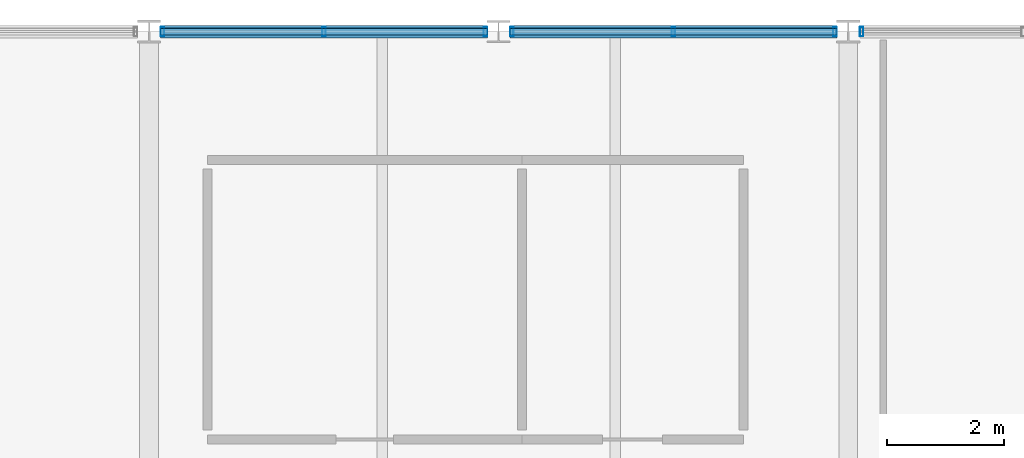
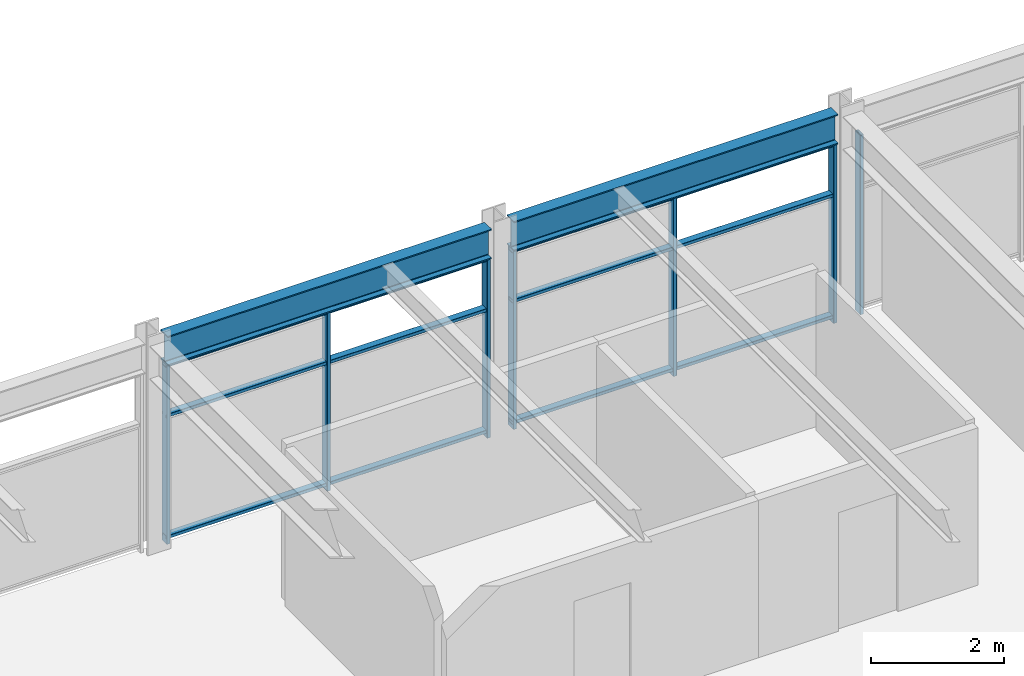
# One storey, part 25 of 51: 13 members, 2 beams, 3 elements without a shape of their own.
"""IFC4 building model written with IfcOpenShell, lengths in metres."""

from ifc_helpers import new_model, si_unit, direction, frame, origin, origin_2d, place, context, subcontext, project, spatial, hollow_rectangle, i_section, extrude, material, material_profile, profile_set, type_object, element, aggregate, save


model = new_model("IFC4")

# Units and contexts
model_context = context("Model", 3, precision=1e-05, world=origin(), true_north=direction((0.0, 1.0)))
body_context = subcontext(model_context, "Body", "Model", "MODEL_VIEW")
ifc_project = project(units=[si_unit("LENGTHUNIT", "METRE"), si_unit("AREAUNIT", "SQUARE_METRE"), si_unit("VOLUMEUNIT", "CUBIC_METRE"), si_unit("PLANEANGLEUNIT", "RADIAN"), si_unit("MASSUNIT", "GRAM", prefix="KILO")], contexts=[model_context])

# Site, building, storey
site_placement = place(None, origin())
site = spatial("IfcSite", under=ifc_project, at=site_placement, CompositionType="ELEMENT")
building_placement = place(site_placement, origin())
building = spatial("IfcBuilding", under=site, at=building_placement, Name="Girod Span Mobility Hub", CompositionType="ELEMENT")
storey_placement = place(building_placement, frame((0.0, 0.0, 41.60009765625)))
storey = spatial("IfcBuildingStorey", under=building, at=storey_placement, Name="L10", CompositionType="ELEMENT", Elevation=41.60009765625)

# Beams
ifc_material_1 = material(Name="Steel A992 Grade 50", Category="steel")
ifc_material_profile_1 = material_profile(ifc_material_1, i_section(OverallWidth=0.2119140625, OverallDepth=0.5439453125, WebThickness=0.01318359375, FlangeThickness=0.021240234375, FilletRadius=0.014892578125, at=origin_2d()), Name="W21X83")
ifc_profile_set_1 = profile_set([ifc_material_profile_1], Name="Steel A992 Grade 50")
beam_type = type_object("IfcBeamType", Name="BM-STL-W21X83", PredefinedType="SPANDREL", material=ifc_profile_set_1)
for number, where, z_axis, x_axis, name in (
    (1, (72.196533203125, 69.0, 3.552978515625), (1.0, 0.0, 0.0), (0.0, 1.0, 0.0), "Spandrel Beam 7-8/F-W L10"),
    (2, (78.194091796875, 69.0, 3.552978515625), (1.0, 0.0, 0.0), (0.0, 1.0, 0.0), "Spandrel Beam 7-8/F-E L10"),
):
    element("IfcBeam", number, at=place(storey_placement, frame(where, z_axis=z_axis, x_axis=x_axis)), inside=storey, type_object=beam_type, Name=name, PredefinedType="SPANDREL", context=body_context, shape_type="SweptSolid", body=[
        extrude(i_section(OverallWidth=0.2119140625, OverallDepth=0.5439453125, WebThickness=0.01318359375, FlangeThickness=0.021240234375, FilletRadius=0.014892578125, at=origin_2d()), origin(), (0.0, 0.0, 1.0), 5.609375),
    ])

# Curtain wall, members
ifc_material_2 = material(Name="Thermally Broken Anodised Aluminium", Category="aluminium")
curtain_wall_type = type_object("IfcCurtainWallType", Name="CW-561X328", PredefinedType="USERDEFINED", material=ifc_material_2)
curtain_wall_1_placement = place(storey_placement, origin())
curtain_wall_1 = element("IfcCurtainWall", 3, at=curtain_wall_1_placement, inside=storey, type_object=curtain_wall_type, Name="Unitised Curtain Wall CW-L10-N07W L10", ObjectType="UNITISED CURTAIN WALL", PredefinedType="USERDEFINED")
ifc_material_3 = material(Name="Thermally Broken Anodised Aluminium", Category="aluminium")
ifc_material_profile_2 = material_profile(ifc_material_3, hollow_rectangle(XDim=0.159912109375, YDim=0.06005859375, WallThickness=0.00341796875, InnerFilletRadius=0.00341796875, OuterFilletRadius=0.007080078125, at=origin_2d()), Name="CW-ML-60X160")
ifc_profile_set_2 = profile_set([ifc_material_profile_2], Name="Thermally Broken Anodised Aluminium")
member_type_1 = type_object("IfcMemberType", Name="CWM-ML-3", PredefinedType="MULLION", material=ifc_profile_set_2)
member_1_placement = place(storey_placement, frame((72.2294921875, 69.0, 0.0), z_axis=(0.0, 0.0, 1.0), x_axis=(0.0, 1.0, 0.0)))
member_1 = element("IfcMember", 4, at=member_1_placement, type_object=member_type_1, Name="Curtain Wall Mullion CW-L10-N07W-M0", PredefinedType="MULLION", context=body_context, shape_type="SweptSolid", body=[
    extrude(hollow_rectangle(XDim=0.159912109375, YDim=0.06005859375, WallThickness=0.00341796875, InnerFilletRadius=0.00341796875, OuterFilletRadius=0.007080078125, at=origin_2d()), origin(), (0.0, 0.0, 1.0), 3.281005859375),
])
member_2_placement = place(storey_placement, frame((75.001220703125, 69.0, 0.0), z_axis=(0.0, 0.0, 1.0), x_axis=(0.0, 1.0, 0.0)))
member_2 = element("IfcMember", 5, at=member_2_placement, type_object=member_type_1, Name="Curtain Wall Mullion CW-L10-N07W-M1", PredefinedType="MULLION", context=body_context, shape_type="SweptSolid", body=[
    extrude(hollow_rectangle(XDim=0.159912109375, YDim=0.06005859375, WallThickness=0.00341796875, InnerFilletRadius=0.00341796875, OuterFilletRadius=0.007080078125, at=origin_2d()), origin(), (0.0, 0.0, 1.0), 3.281005859375),
])
member_3_placement = place(storey_placement, frame((77.77294921875, 69.0, 0.0), z_axis=(0.0, 0.0, 1.0), x_axis=(0.0, 1.0, 0.0)))
member_3 = element("IfcMember", 6, at=member_3_placement, type_object=member_type_1, Name="Curtain Wall Mullion CW-L10-N07W-M2", PredefinedType="MULLION", context=body_context, shape_type="SweptSolid", body=[
    extrude(hollow_rectangle(XDim=0.159912109375, YDim=0.06005859375, WallThickness=0.00341796875, InnerFilletRadius=0.00341796875, OuterFilletRadius=0.007080078125, at=origin_2d()), origin(), (0.0, 0.0, 1.0), 3.281005859375),
])

curtain_wall_2_placement = place(storey_placement, origin())
curtain_wall_2 = element("IfcCurtainWall", 7, at=curtain_wall_2_placement, inside=storey, type_object=curtain_wall_type, Name="Unitised Curtain Wall CW-L10-N07E L10", ObjectType="UNITISED CURTAIN WALL", PredefinedType="USERDEFINED")
member_4_placement = place(storey_placement, frame((78.22705078125, 69.0, 0.0), z_axis=(0.0, 0.0, 1.0), x_axis=(0.0, 1.0, 0.0)))
member_4 = element("IfcMember", 8, at=member_4_placement, type_object=member_type_1, Name="Curtain Wall Mullion CW-L10-N07E-M0", PredefinedType="MULLION", context=body_context, shape_type="SweptSolid", body=[
    extrude(hollow_rectangle(XDim=0.159912109375, YDim=0.06005859375, WallThickness=0.00341796875, InnerFilletRadius=0.00341796875, OuterFilletRadius=0.007080078125, at=origin_2d()), origin(), (0.0, 0.0, 1.0), 3.281005859375),
])
member_5_placement = place(storey_placement, frame((80.998779296875, 69.0, 0.0), z_axis=(0.0, 0.0, 1.0), x_axis=(0.0, 1.0, 0.0)))
member_5 = element("IfcMember", 9, at=member_5_placement, type_object=member_type_1, Name="Curtain Wall Mullion CW-L10-N07E-M1", PredefinedType="MULLION", context=body_context, shape_type="SweptSolid", body=[
    extrude(hollow_rectangle(XDim=0.159912109375, YDim=0.06005859375, WallThickness=0.00341796875, InnerFilletRadius=0.00341796875, OuterFilletRadius=0.007080078125, at=origin_2d()), origin(), (0.0, 0.0, 1.0), 3.281005859375),
])
member_6_placement = place(storey_placement, frame((83.7705078125, 69.0, 0.0), z_axis=(0.0, 0.0, 1.0), x_axis=(0.0, 1.0, 0.0)))
member_6 = element("IfcMember", 10, at=member_6_placement, type_object=member_type_1, Name="Curtain Wall Mullion CW-L10-N07E-M2", PredefinedType="MULLION", context=body_context, shape_type="SweptSolid", body=[
    extrude(hollow_rectangle(XDim=0.159912109375, YDim=0.06005859375, WallThickness=0.00341796875, InnerFilletRadius=0.00341796875, OuterFilletRadius=0.007080078125, at=origin_2d()), origin(), (0.0, 0.0, 1.0), 3.281005859375),
])

# Curtain wall, member
curtain_wall_3_placement = place(storey_placement, origin())
curtain_wall_3 = element("IfcCurtainWall", 11, at=curtain_wall_3_placement, inside=storey, type_object=curtain_wall_type, Name="Unitised Curtain Wall CW-L10-N08W L10", ObjectType="UNITISED CURTAIN WALL", PredefinedType="USERDEFINED")
member_7_placement = place(storey_placement, frame((84.2294921875, 69.0, 0.0), z_axis=(0.0, 0.0, 1.0), x_axis=(0.0, 1.0, 0.0)))
member_7 = element("IfcMember", 12, at=member_7_placement, type_object=member_type_1, Name="Curtain Wall Mullion CW-L10-N08W-M0", PredefinedType="MULLION", context=body_context, shape_type="SweptSolid", body=[
    extrude(hollow_rectangle(XDim=0.159912109375, YDim=0.06005859375, WallThickness=0.00341796875, InnerFilletRadius=0.00341796875, OuterFilletRadius=0.007080078125, at=origin_2d()), origin(), (0.0, 0.0, 1.0), 3.281005859375),
])
aggregate(curtain_wall_3, [member_7])

# Member
ifc_material_4 = material(Name="Thermally Broken Anodised Aluminium", Category="aluminium")
ifc_material_profile_3 = material_profile(ifc_material_4, hollow_rectangle(XDim=0.1201171875, YDim=0.06005859375, WallThickness=0.00341796875, InnerFilletRadius=0.00341796875, OuterFilletRadius=0.007080078125, at=origin_2d()), Name="CW-TR-60X120")
ifc_profile_set_3 = profile_set([ifc_material_profile_3], Name="Thermally Broken Anodised Aluminium")
member_type_2 = type_object("IfcMemberType", Name="CWM-TR-3", PredefinedType="USERDEFINED", material=ifc_profile_set_3)
member_8_placement = place(storey_placement, frame((72.197509765625, 69.0, 0.10986328125), z_axis=(1.0, 0.0, 0.0), x_axis=(0.0, 1.0, 0.0)))
member_8 = element("IfcMember", 13, at=member_8_placement, type_object=member_type_2, Name="Curtain Wall Transom CW-L10-N07W-T1", ObjectType="TRANSOM", PredefinedType="USERDEFINED", context=body_context, shape_type="SweptSolid", body=[
    extrude(hollow_rectangle(XDim=0.1201171875, YDim=0.06005859375, WallThickness=0.00341796875, InnerFilletRadius=0.00341796875, OuterFilletRadius=0.007080078125, at=origin_2d()), origin(), (0.0, 0.0, 1.0), 5.607421875),
])

member_9_placement = place(storey_placement, frame((72.197509765625, 69.0, 2.332275390625), z_axis=(1.0, 0.0, 0.0), x_axis=(0.0, 1.0, 0.0)))
member_9 = element("IfcMember", 14, at=member_9_placement, type_object=member_type_2, Name="Curtain Wall Transom CW-L10-N07W-T2", ObjectType="TRANSOM", PredefinedType="USERDEFINED", context=body_context, shape_type="SweptSolid", body=[
    extrude(hollow_rectangle(XDim=0.1201171875, YDim=0.06005859375, WallThickness=0.00341796875, InnerFilletRadius=0.00341796875, OuterFilletRadius=0.007080078125, at=origin_2d()), origin(), (0.0, 0.0, 1.0), 5.607421875),
])

member_10_placement = place(storey_placement, frame((72.197509765625, 69.0, 3.2509765625), z_axis=(1.0, 0.0, 0.0), x_axis=(0.0, 1.0, 0.0)))
member_10 = element("IfcMember", 15, at=member_10_placement, type_object=member_type_2, Name="Curtain Wall Transom CW-L10-N07W-T3", ObjectType="TRANSOM", PredefinedType="USERDEFINED", context=body_context, shape_type="SweptSolid", body=[
    extrude(hollow_rectangle(XDim=0.1201171875, YDim=0.06005859375, WallThickness=0.00341796875, InnerFilletRadius=0.00341796875, OuterFilletRadius=0.007080078125, at=origin_2d()), origin(), (0.0, 0.0, 1.0), 5.607421875),
])

aggregate(curtain_wall_1, [member_1, member_2, member_3, member_8, member_9, member_10])

member_11_placement = place(storey_placement, frame((78.195068359375, 69.0, 0.10986328125), z_axis=(1.0, 0.0, 0.0), x_axis=(0.0, 1.0, 0.0)))
member_11 = element("IfcMember", 16, at=member_11_placement, type_object=member_type_2, Name="Curtain Wall Transom CW-L10-N07E-T1", ObjectType="TRANSOM", PredefinedType="USERDEFINED", context=body_context, shape_type="SweptSolid", body=[
    extrude(hollow_rectangle(XDim=0.1201171875, YDim=0.06005859375, WallThickness=0.00341796875, InnerFilletRadius=0.00341796875, OuterFilletRadius=0.007080078125, at=origin_2d()), origin(), (0.0, 0.0, 1.0), 5.607421875),
])

member_12_placement = place(storey_placement, frame((78.195068359375, 69.0, 2.332275390625), z_axis=(1.0, 0.0, 0.0), x_axis=(0.0, 1.0, 0.0)))
member_12 = element("IfcMember", 17, at=member_12_placement, type_object=member_type_2, Name="Curtain Wall Transom CW-L10-N07E-T2", ObjectType="TRANSOM", PredefinedType="USERDEFINED", context=body_context, shape_type="SweptSolid", body=[
    extrude(hollow_rectangle(XDim=0.1201171875, YDim=0.06005859375, WallThickness=0.00341796875, InnerFilletRadius=0.00341796875, OuterFilletRadius=0.007080078125, at=origin_2d()), origin(), (0.0, 0.0, 1.0), 5.607421875),
])

member_13_placement = place(storey_placement, frame((78.195068359375, 69.0, 3.2509765625), z_axis=(1.0, 0.0, 0.0), x_axis=(0.0, 1.0, 0.0)))
member_13 = element("IfcMember", 18, at=member_13_placement, type_object=member_type_2, Name="Curtain Wall Transom CW-L10-N07E-T3", ObjectType="TRANSOM", PredefinedType="USERDEFINED", context=body_context, shape_type="SweptSolid", body=[
    extrude(hollow_rectangle(XDim=0.1201171875, YDim=0.06005859375, WallThickness=0.00341796875, InnerFilletRadius=0.00341796875, OuterFilletRadius=0.007080078125, at=origin_2d()), origin(), (0.0, 0.0, 1.0), 5.607421875),
])

aggregate(curtain_wall_2, [member_4, member_5, member_6, member_11, member_12, member_13])

save(model, "model.ifc")
